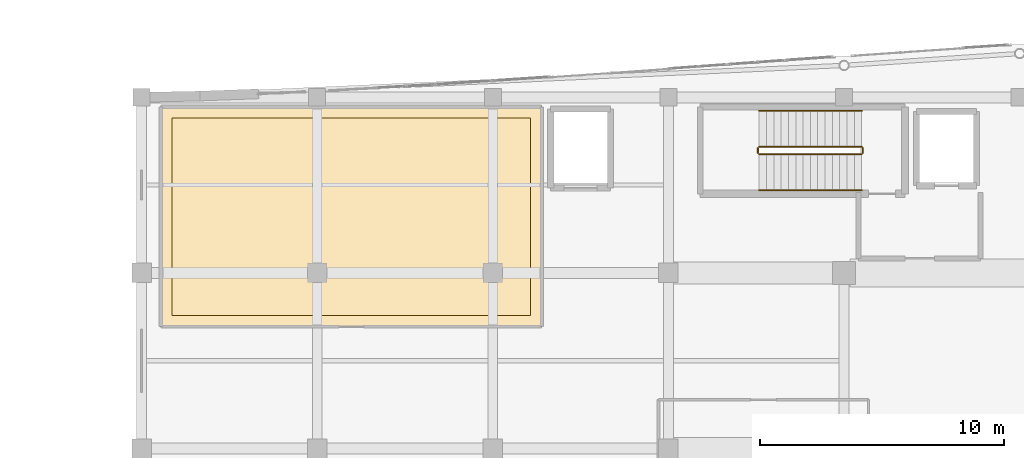
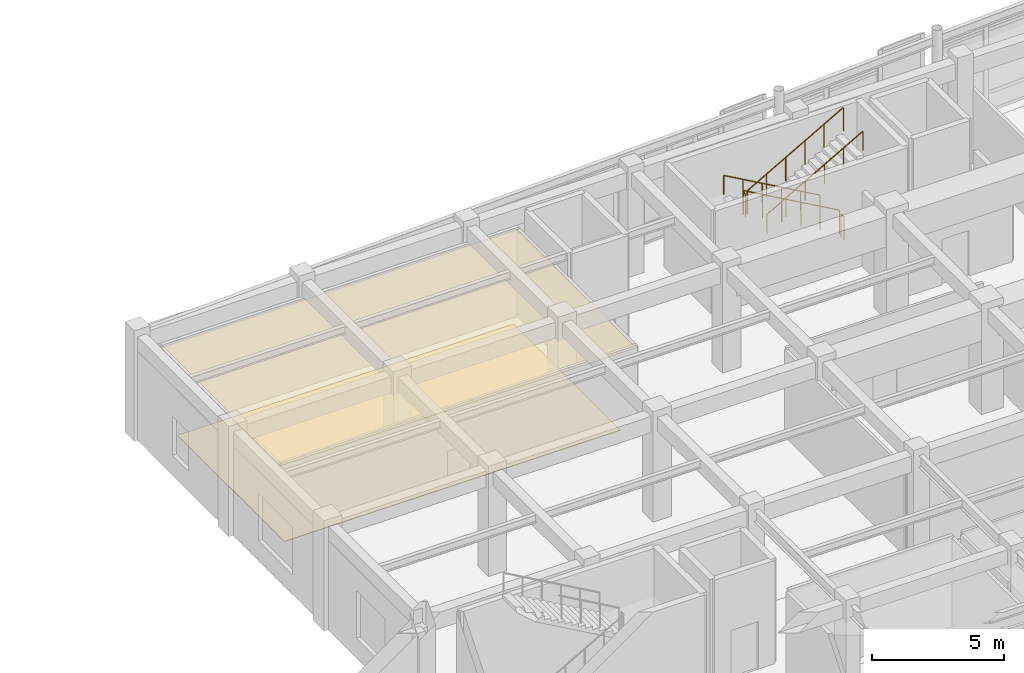
# One storey, part 109 of 117: 6 railings, 2 coverings.
"""IFC4 building model written with IfcOpenShell, lengths in metres."""

from ifc_helpers import new_model, si_unit, direction, frame, origin, origin_2d, place, context, subcontext, project, spatial, polyline, circle, outline, extrude, material, layer, layer_set, type_object, element, save


model = new_model("IFC4")

# Units and contexts
model_context = context("Model", 3, precision=1e-05, world=origin(), true_north=direction((0.0, 1.0)))
body_context = subcontext(model_context, "Body", "Model", "MODEL_VIEW")
ifc_project = project(units=[si_unit("LENGTHUNIT", "METRE"), si_unit("AREAUNIT", "SQUARE_METRE"), si_unit("VOLUMEUNIT", "CUBIC_METRE"), si_unit("PLANEANGLEUNIT", "RADIAN"), si_unit("MASSUNIT", "GRAM", prefix="KILO")], contexts=[model_context])

# Site, building, storey
site_placement = place(None, origin())
site = spatial("IfcSite", under=ifc_project, at=site_placement, CompositionType="ELEMENT")
building_placement = place(site_placement, origin())
building = spatial("IfcBuilding", under=site, at=building_placement, Name="Carrowvane Square Congress Hotel", CompositionType="ELEMENT")
storey_placement = place(building_placement, frame((0.0, 0.0, 5.39990234375)))
storey = spatial("IfcBuildingStorey", under=building, at=storey_placement, Name="L01", CompositionType="ELEMENT", Elevation=5.39990234375)

# Coverings
ifc_material_1 = material(Name="European oak timber", Category="wood")
ifc_layer_1 = layer(ifc_material_1, 0.02490234375)
ifc_layer_set_1 = layer_set([ifc_layer_1], Name="European oak timber")
covering_type_1 = type_object("IfcCoveringType", Name="COV-CLG-WD25", PredefinedType="CEILING", material=ifc_layer_set_1)
covering_1_placement = place(storey_placement, frame((0.0, 0.0, 3.940185546875)))
element("IfcCovering", 1, at=covering_1_placement, inside=storey, type_object=covering_type_1, Name="L01 Sommelier Wine Tasting Cellar acoustic ceiling", PredefinedType="CEILING", context=body_context, shape_type="SweptSolid", body=[
    extrude(outline(polyline([(47.716064453125, 113.01708984375), (47.723876953125, 113.02001953125), (49.60009765625, 113.02001953125), (49.60205078125, 113.02001953125), (49.60400390625, 113.01953125), (49.605712890625, 113.01904296875), (49.607666015625, 113.0185546875), (49.609375, 113.017578125), (49.611083984375, 113.0166015625), (49.61279296875, 113.015380859375), (49.614013671875, 113.01416015625), (49.615478515625, 113.0126953125), (49.61669921875, 113.010986328125), (49.61767578125, 113.009521484375), (49.618408203125, 113.0078125), (49.619140625, 113.005859375), (49.61962890625, 113.00390625), (49.619873046875, 113.001953125), (49.6201171875, 113.0), (49.6201171875, 104.0), (49.619873046875, 103.998046875), (49.61962890625, 103.99609375), (49.619140625, 103.994140625), (49.618408203125, 103.9921875), (49.61767578125, 103.990478515625), (49.61669921875, 103.989013671875), (49.615478515625, 103.9873046875), (49.614013671875, 103.98583984375), (49.61279296875, 103.984619140625), (49.611083984375, 103.9833984375), (49.609375, 103.982421875), (49.607666015625, 103.9814453125), (49.605712890625, 103.98095703125), (49.60400390625, 103.98046875), (49.60205078125, 103.97998046875), (49.60009765625, 103.97998046875), (34.0, 103.97998046875), (33.998046875, 103.97998046875), (33.99609375, 103.98046875), (33.994140625, 103.98095703125), (33.9921875, 103.9814453125), (33.990478515625, 103.982421875), (33.989013671875, 103.9833984375), (33.9873046875, 103.984619140625), (33.98583984375, 103.98583984375), (33.984619140625, 103.9873046875), (33.9833984375, 103.989013671875), (33.982421875, 103.990478515625), (33.9814453125, 103.9921875), (33.98095703125, 103.994140625), (33.98046875, 103.99609375), (33.97998046875, 103.998046875), (33.97998046875, 104.0), (33.97998046875, 113.0), (33.97998046875, 113.001953125), (33.98046875, 113.00390625), (33.98095703125, 113.005859375), (33.9814453125, 113.0078125), (33.982421875, 113.009521484375), (33.9833984375, 113.010986328125), (33.984619140625, 113.0126953125), (33.98583984375, 113.01416015625), (33.9873046875, 113.015380859375), (33.989013671875, 113.0166015625), (33.990478515625, 113.017578125), (33.9921875, 113.0185546875), (33.994140625, 113.01904296875), (33.99609375, 113.01953125), (33.998046875, 113.02001953125), (34.0, 113.02001953125), (40.276123046875, 113.02001953125), (40.283935546875, 113.01708984375), (40.322021484375, 113.0078125), (40.36083984375, 113.001953125), (40.39990234375, 113.0), (40.439208984375, 113.001953125), (40.47802734375, 113.0078125), (40.51611328125, 113.01708984375), (40.52392578125, 113.02001953125), (47.47607421875, 113.02001953125), (47.48388671875, 113.01708984375), (47.52197265625, 113.0078125), (47.560791015625, 113.001953125), (47.60009765625, 113.0), (47.63916015625, 113.001953125), (47.677978515625, 113.0078125), (47.716064453125, 113.01708984375)])), origin(), (0.0, 0.0, 1.0), 0.02490234375),
])
ifc_material_2 = material(Name="Portland limestone cladding", Category="masonry")
ifc_layer_2 = layer(ifc_material_2, 0.02587890625)
ifc_layer_set_2 = layer_set([ifc_layer_2], Name="Portland limestone cladding")
covering_type_2 = type_object("IfcCoveringType", Name="COV-FLR-STN26", PredefinedType="FLOORING", material=ifc_layer_set_2)
covering_2_placement = place(storey_placement, origin())
element("IfcCovering", 2, at=covering_2_placement, inside=storey, type_object=covering_type_2, Name="L01 Sommelier Wine Tasting Cellar floor finish", PredefinedType="FLOORING", context=body_context, shape_type="SweptSolid", body=[
    extrude(outline(polyline([(49.14990234375, 112.550048828125), (49.14990234375, 104.449951171875), (34.449951171875, 104.449951171875), (34.449951171875, 112.550048828125), (49.14990234375, 112.550048828125)])), origin(), (0.0, 0.0, 1.0), 0.026123046875),
])

# Railings
ifc_material_3 = material(Name="Stainless steel 316", Category="steel")
ifc_layer_3 = layer(ifc_material_3, 0.048095703125)
ifc_layer_set_3 = layer_set([ifc_layer_3], Name="Stainless steel 316")
railing_type_1 = type_object("IfcRailingType", Name="RLG-HR-900", PredefinedType="HANDRAIL", material=ifc_layer_set_3)
railing_1_placement = place(storey_placement, frame((62.719970703125, 112.85009765625, 0.170166015625)))
element("IfcRailing", 3, at=railing_1_placement, inside=storey, type_object=railing_type_1, Name="L01 ST1 stair handrail 1", PredefinedType="HANDRAIL", context=body_context, shape_type="SweptSolid", body=[
    extrude(circle(Radius=0.02392578125, at=origin_2d()), frame((0.0, 0.0, 0.8759765625), z_axis=(-0.870030139814, 0.0, 0.492998535308), x_axis=(0.0, -1.0, 0.0)), (0.0, 0.0, 1.0), 4.827392578125),
    extrude(circle(Radius=0.02099609375, at=origin_2d()), origin(), (0.0, 0.0, 1.0), 0.851806640625),
    extrude(circle(Radius=0.02099609375, at=origin_2d()), frame((-0.840087890625, 0.0, 0.47607421875)), (0.0, 0.0, 1.0), 0.851806640625),
    extrude(circle(Radius=0.02099609375, at=origin_2d()), frame((-1.679931640625, 0.0, 0.951904296875)), (0.0, 0.0, 1.0), 0.851806640625),
    extrude(circle(Radius=0.02099609375, at=origin_2d()), frame((-2.52001953125, 0.0, 1.427978515625)), (0.0, 0.0, 1.0), 0.851806640625),
    extrude(circle(Radius=0.02099609375, at=origin_2d()), frame((-3.35986328125, 0.0, 1.90380859375)), (0.0, 0.0, 1.0), 0.851806640625),
    extrude(circle(Radius=0.02099609375, at=origin_2d()), frame((-4.199951171875, 0.0, 2.3798828125)), (0.0, 0.0, 1.0), 0.851806640625),
])
railing_2_placement = place(storey_placement, frame((58.52001953125, 109.590087890625, 2.72021484375)))
element("IfcRailing", 4, at=railing_2_placement, inside=storey, type_object=railing_type_1, Name="L01 ST1 stair handrail 2", PredefinedType="HANDRAIL", context=body_context, shape_type="SweptSolid", body=[
    extrude(circle(Radius=0.02392578125, at=origin_2d()), frame((0.0, 0.0, 0.8759765625), z_axis=(0.870030139814, 0.0, 0.492998535308), x_axis=(0.0, 1.0, 0.0)), (0.0, 0.0, 1.0), 4.827392578125),
    extrude(circle(Radius=0.02099609375, at=origin_2d()), origin(), (0.0, 0.0, 1.0), 0.851806640625),
    extrude(circle(Radius=0.02099609375, at=origin_2d()), frame((0.840087890625, 0.0, 0.47607421875)), (0.0, 0.0, 1.0), 0.851806640625),
    extrude(circle(Radius=0.02099609375, at=origin_2d()), frame((1.679931640625, 0.0, 0.951904296875)), (0.0, 0.0, 1.0), 0.851806640625),
    extrude(circle(Radius=0.02099609375, at=origin_2d()), frame((2.52001953125, 0.0, 1.427978515625)), (0.0, 0.0, 1.0), 0.851806640625),
    extrude(circle(Radius=0.02099609375, at=origin_2d()), frame((3.35986328125, 0.0, 1.90380859375)), (0.0, 0.0, 1.0), 0.851806640625),
    extrude(circle(Radius=0.02099609375, at=origin_2d()), frame((4.199951171875, 0.0, 2.3798828125)), (0.0, 0.0, 1.0), 0.851806640625),
])
ifc_material_4 = material(Name="Galvanised steel", Category="steel")
ifc_layer_4 = layer(ifc_material_4, 0.048095703125)
ifc_layer_set_4 = layer_set([ifc_layer_4], Name="Galvanised steel")
railing_type_2 = type_object("IfcRailingType", Name="RLG-STG-1100", PredefinedType="GUARDRAIL", material=ifc_layer_set_4)
railing_3_placement = place(storey_placement, frame((62.719970703125, 111.3701171875, 0.170166015625)))
element("IfcRailing", 5, at=railing_3_placement, inside=storey, type_object=railing_type_2, Name="L01 ST1 stair guard 1", PredefinedType="GUARDRAIL", context=body_context, shape_type="SweptSolid", body=[
    extrude(circle(Radius=0.02392578125, at=origin_2d()), frame((0.0, 0.0, 1.076171875), z_axis=(-0.870030139814, 0.0, 0.492998535308), x_axis=(0.0, -1.0, 0.0)), (0.0, 0.0, 1.0), 4.827392578125),
    extrude(circle(Radius=0.02099609375, at=origin_2d()), origin(), (0.0, 0.0, 1.0), 1.052001953125),
    extrude(circle(Radius=0.02099609375, at=origin_2d()), frame((-0.840087890625, 0.0, 0.47607421875)), (0.0, 0.0, 1.0), 1.052001953125),
    extrude(circle(Radius=0.02099609375, at=origin_2d()), frame((-1.679931640625, 0.0, 0.951904296875)), (0.0, 0.0, 1.0), 1.052001953125),
    extrude(circle(Radius=0.02099609375, at=origin_2d()), frame((-2.52001953125, 0.0, 1.427978515625)), (0.0, 0.0, 1.0), 1.052001953125),
    extrude(circle(Radius=0.02099609375, at=origin_2d()), frame((-3.35986328125, 0.0, 1.90380859375)), (0.0, 0.0, 1.0), 1.052001953125),
    extrude(circle(Radius=0.02099609375, at=origin_2d()), frame((-4.199951171875, 0.0, 2.3798828125)), (0.0, 0.0, 1.0), 1.052001953125),
])
railing_4_placement = place(storey_placement, frame((58.469970703125, 111.320068359375, 2.550048828125)))
element("IfcRailing", 6, at=railing_4_placement, inside=storey, type_object=railing_type_2, Name="L01 ST1 stair guard 2", PredefinedType="GUARDRAIL", context=body_context, shape_type="SweptSolid", body=[
    extrude(circle(Radius=0.02392578125, at=origin_2d()), frame((0.0, 0.0, 1.076171875), z_axis=(0.0, -1.0, 0.0), x_axis=(1.0, 0.0, 0.0)), (0.0, 0.0, 1.0), 0.199951171875),
    extrude(circle(Radius=0.02099609375, at=origin_2d()), origin(), (0.0, 0.0, 1.0), 1.052001953125),
    extrude(circle(Radius=0.02099609375, at=origin_2d()), frame((0.0, -0.199951171875, 0.0)), (0.0, 0.0, 1.0), 1.052001953125),
])
railing_5_placement = place(storey_placement, frame((58.52001953125, 111.070068359375, 2.72021484375)))
element("IfcRailing", 7, at=railing_5_placement, inside=storey, type_object=railing_type_2, Name="L01 ST1 stair guard 3", PredefinedType="GUARDRAIL", context=body_context, shape_type="SweptSolid", body=[
    extrude(circle(Radius=0.02392578125, at=origin_2d()), frame((0.0, 0.0, 1.076171875), z_axis=(0.870030139814, 0.0, 0.492998535308), x_axis=(0.0, 1.0, 0.0)), (0.0, 0.0, 1.0), 4.827392578125),
    extrude(circle(Radius=0.02099609375, at=origin_2d()), origin(), (0.0, 0.0, 1.0), 1.052001953125),
    extrude(circle(Radius=0.02099609375, at=origin_2d()), frame((0.840087890625, 0.0, 0.47607421875)), (0.0, 0.0, 1.0), 1.052001953125),
    extrude(circle(Radius=0.02099609375, at=origin_2d()), frame((1.679931640625, 0.0, 0.951904296875)), (0.0, 0.0, 1.0), 1.052001953125),
    extrude(circle(Radius=0.02099609375, at=origin_2d()), frame((2.52001953125, 0.0, 1.427978515625)), (0.0, 0.0, 1.0), 1.052001953125),
    extrude(circle(Radius=0.02099609375, at=origin_2d()), frame((3.35986328125, 0.0, 1.90380859375)), (0.0, 0.0, 1.0), 1.052001953125),
    extrude(circle(Radius=0.02099609375, at=origin_2d()), frame((4.199951171875, 0.0, 2.3798828125)), (0.0, 0.0, 1.0), 1.052001953125),
])
railing_6_placement = place(storey_placement, frame((62.77001953125, 111.320068359375, 0.0)))
element("IfcRailing", 8, at=railing_6_placement, inside=storey, type_object=railing_type_2, Name="L01 ST1 stair guard 4", PredefinedType="GUARDRAIL", context=body_context, shape_type="SweptSolid", body=[
    extrude(circle(Radius=0.02392578125, at=origin_2d()), frame((0.0, 0.0, 1.076171875), z_axis=(0.0, -1.0, 0.0), x_axis=(1.0, 0.0, 0.0)), (0.0, 0.0, 1.0), 0.199951171875),
    extrude(circle(Radius=0.02099609375, at=origin_2d()), origin(), (0.0, 0.0, 1.0), 1.052001953125),
    extrude(circle(Radius=0.02099609375, at=origin_2d()), frame((0.0, -0.199951171875, 0.0)), (0.0, 0.0, 1.0), 1.052001953125),
])

save(model, "model.ifc")
